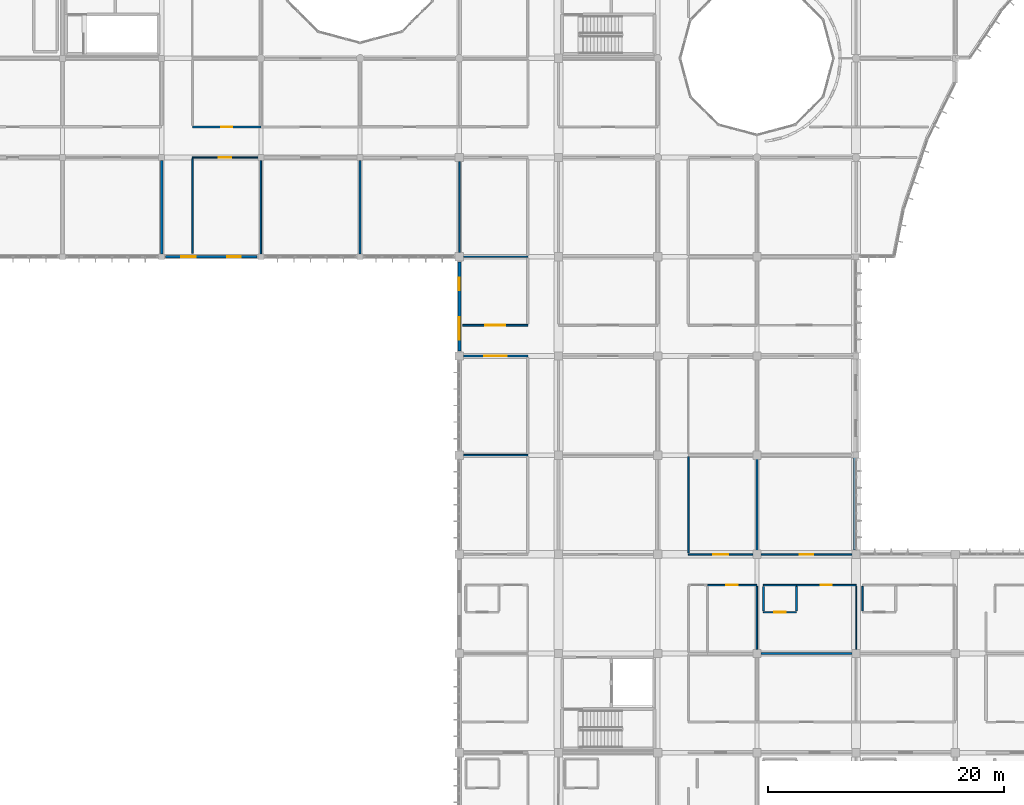
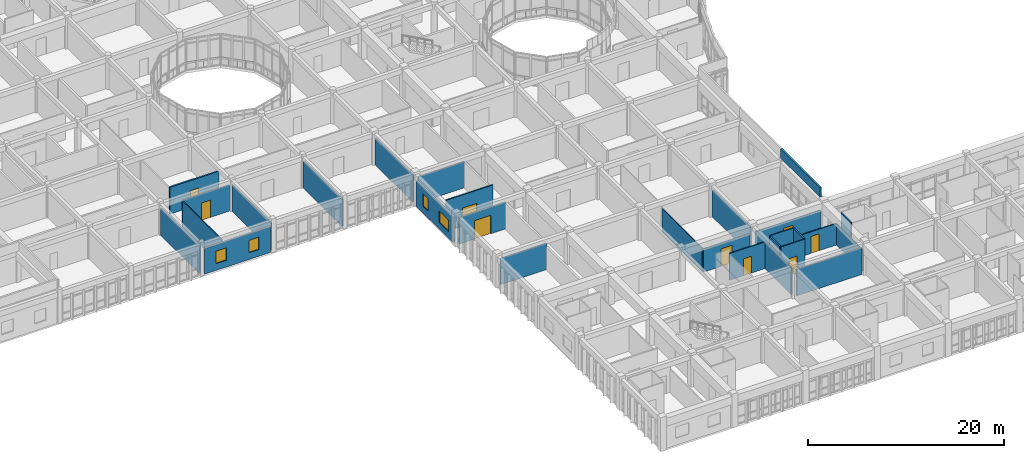
# One storey, part 80 of 119: 28 walls, 9 doors, 4 windows, 13 openings.
"""IFC4 building model written with IfcOpenShell, lengths in metres."""

from ifc_helpers import new_model, si_unit, direction, frame, frame_2d, origin, place, context, subcontext, project, spatial, rectangle, extrude, material, layer, layer_set, type_object, element, fill, save


model = new_model("IFC4")

# Units and contexts
model_context = context("Model", 3, precision=1e-05, world=origin(), true_north=direction((0.0, 1.0)))
body_context = subcontext(model_context, "Body", "Model", "MODEL_VIEW")
ifc_project = project(units=[si_unit("LENGTHUNIT", "METRE"), si_unit("AREAUNIT", "SQUARE_METRE"), si_unit("VOLUMEUNIT", "CUBIC_METRE"), si_unit("PLANEANGLEUNIT", "RADIAN"), si_unit("MASSUNIT", "GRAM", prefix="KILO")], contexts=[model_context])

# Site, building, storey
site_placement = place(None, origin())
site = spatial("IfcSite", under=ifc_project, at=site_placement, CompositionType="ELEMENT")
building_placement = place(site_placement, origin())
building = spatial("IfcBuilding", under=site, at=building_placement, Name="Bramfleet General Hospital", CompositionType="ELEMENT")
storey_placement = place(building_placement, frame((0.0, 0.0, 14.39990234375)))
storey = spatial("IfcBuildingStorey", under=building, at=storey_placement, Name="L03", CompositionType="ELEMENT", Elevation=14.39990234375)

# Wall, openings, windows
ifc_material_1 = material(Name="Precast concrete C40/50", Category="concrete")
ifc_layer_1 = layer(ifc_material_1, 0.25, Name="WT-EW-08")
ifc_layer_set_1 = layer_set([ifc_layer_1], Name="Precast concrete C40/50")
wall_type_1 = type_object("IfcWallType", Name="WT-EW-08", PredefinedType="SOLIDWALL", material=ifc_layer_set_1)
wall_1_placement = place(storey_placement, frame((92.39990234375, 42.425048828125, 0.0), z_axis=(0.0, 0.0, 1.0), x_axis=(0.0, 1.0, 0.0)))
wall_1 = element("IfcWall", 1, at=wall_1_placement, inside=storey, type_object=wall_type_1, Name="L03 Exterior Wall 272", PredefinedType="SOLIDWALL", context=body_context, shape_type="SweptSolid", body=[
    extrude(rectangle(XDim=7.550048828125, YDim=0.25, at=frame_2d((3.77490234375, 0.0))), origin(), (0.0, 0.0, 1.0), 3.190185546875),
])
opening_1_placement = place(wall_1_placement, frame((0.9375, 0.0, 0.85009765625)))
opening_1 = element("IfcOpeningElement", 2, at=opening_1_placement, cuts=wall_1, Name="Opening W-20", PredefinedType="OPENING", context=body_context, shape_type="SweptSolid", body=[
    extrude(rectangle(XDim=1.89990234375, YDim=1.419921875, at=frame_2d((0.949951171875, 0.7099609375))), frame((0.0, 0.135009765625, 0.0), z_axis=(0.0, -1.0, 0.0), x_axis=(1.0, 0.0, 0.0)), (0.0, 0.0, 1.0), 0.27001953125),
])
opening_2_placement = place(wall_1_placement, frame((5.137451171875, 0.0, 0.85009765625)))
opening_2 = element("IfcOpeningElement", 3, at=opening_2_placement, cuts=wall_1, Name="Opening W-21", PredefinedType="OPENING", context=body_context, shape_type="SweptSolid", body=[
    extrude(rectangle(XDim=1.050048828125, YDim=1.5400390625, at=frame_2d((0.52490234375, 0.77001953125))), frame((0.0, 0.135009765625, 0.0), z_axis=(0.0, -1.0, 0.0), x_axis=(1.0, 0.0, 0.0)), (0.0, 0.0, 1.0), 0.27001953125),
])
ifc_material_2 = material(Name="Anodised aluminium and low-E triple glazing", Category="aluminium")
window_type_1 = type_object("IfcWindowType", Name="WIN-W-20", PartitioningType="SINGLE_PANEL", PredefinedType="WINDOW", material=ifc_material_2)
window_1_placement = place(opening_1_placement, origin())
window_1 = element("IfcWindow", 4, at=window_1_placement, inside=storey, type_object=window_type_1, Name="L03 Facade Window WIN-L03-272-1", OverallHeight=1.419921875, OverallWidth=1.89990234375, PartitioningType="SINGLE_PANEL", PredefinedType="WINDOW", context=body_context, shape_type="SweptSolid", body=[
    extrude(rectangle(XDim=1.89990234375, YDim=1.419921875, at=frame_2d((0.949951171875, 0.7099609375))), frame((0.0, 0.030029296875, 0.0), z_axis=(0.0, -1.0, 0.0), x_axis=(1.0, 0.0, 0.0)), (0.0, 0.0, 1.0), 0.06005859375),
])
fill(opening_1, window_1)
window_type_2 = type_object("IfcWindowType", Name="WIN-W-21", PartitioningType="SINGLE_PANEL", PredefinedType="WINDOW", material=ifc_material_2)
window_2_placement = place(opening_2_placement, origin())
window_2 = element("IfcWindow", 5, at=window_2_placement, inside=storey, type_object=window_type_2, Name="L03 Facade Window WIN-L03-272-2", OverallHeight=1.5400390625, OverallWidth=1.050048828125, PartitioningType="SINGLE_PANEL", PredefinedType="WINDOW", context=body_context, shape_type="SweptSolid", body=[
    extrude(rectangle(XDim=1.050048828125, YDim=1.5400390625, at=frame_2d((0.52490234375, 0.77001953125))), frame((0.0, 0.030029296875, 0.0), z_axis=(0.0, -1.0, 0.0), x_axis=(1.0, 0.0, 0.0)), (0.0, 0.0, 1.0), 0.06005859375),
])
fill(opening_2, window_2)

ifc_layer_2 = layer(ifc_material_1, 0.235107421875, Name="WT-EW-09")
ifc_layer_set_2 = layer_set([ifc_layer_2], Name="Precast concrete C40/50")
wall_type_2 = type_object("IfcWallType", Name="WT-EW-09", PredefinedType="SOLIDWALL", material=ifc_layer_set_2)
wall_2_placement = place(storey_placement, frame((75.27490234375, 50.39990234375, 0.0), z_axis=(0.0, 0.0, 1.0), x_axis=(-1.0, 0.0, 0.0)))
wall_2 = element("IfcWall", 6, at=wall_2_placement, inside=storey, type_object=wall_type_2, Name="L03 Exterior Wall 273", PredefinedType="SOLIDWALL", context=body_context, shape_type="SweptSolid", body=[
    extrude(rectangle(XDim=7.75, YDim=0.235107421875, at=frame_2d((3.875, 0.0))), origin(), (0.0, 0.0, 1.0), 3.190185546875),
])
opening_3_placement = place(wall_2_placement, frame((1.362548828125, 0.0, 0.85009765625)))
opening_3 = element("IfcOpeningElement", 7, at=opening_3_placement, cuts=wall_2, Name="Opening W-22", PredefinedType="OPENING", context=body_context, shape_type="SweptSolid", body=[
    extrude(rectangle(XDim=1.14990234375, YDim=1.5400390625, at=frame_2d((0.574951171875, 0.77001953125))), frame((0.0, 0.12744140625, 0.0), z_axis=(0.0, -1.0, 0.0), x_axis=(1.0, 0.0, 0.0)), (0.0, 0.0, 1.0), 0.255126953125),
])
opening_4_placement = place(wall_2_placement, frame((5.1875, 0.0, 0.85009765625)))
opening_4 = element("IfcOpeningElement", 8, at=opening_4_placement, cuts=wall_2, Name="Opening W-23", PredefinedType="OPENING", context=body_context, shape_type="SweptSolid", body=[
    extrude(rectangle(XDim=1.25, YDim=1.5400390625, at=frame_2d((0.625, 0.77001953125))), frame((0.0, 0.12744140625, 0.0), z_axis=(0.0, -1.0, 0.0), x_axis=(1.0, 0.0, 0.0)), (0.0, 0.0, 1.0), 0.255126953125),
])
window_type_3 = type_object("IfcWindowType", Name="WIN-W-22", PartitioningType="SINGLE_PANEL", PredefinedType="WINDOW", material=ifc_material_2)
window_3_placement = place(opening_3_placement, origin())
window_3 = element("IfcWindow", 9, at=window_3_placement, inside=storey, type_object=window_type_3, Name="L03 Facade Window WIN-L03-273-1", OverallHeight=1.5400390625, OverallWidth=1.14990234375, PartitioningType="SINGLE_PANEL", PredefinedType="WINDOW", context=body_context, shape_type="SweptSolid", body=[
    extrude(rectangle(XDim=1.14990234375, YDim=1.5400390625, at=frame_2d((0.574951171875, 0.77001953125))), frame((0.0, 0.030029296875, 0.0), z_axis=(0.0, -1.0, 0.0), x_axis=(1.0, 0.0, 0.0)), (0.0, 0.0, 1.0), 0.06005859375),
])
fill(opening_3, window_3)
window_type_4 = type_object("IfcWindowType", Name="WIN-W-23", PartitioningType="SINGLE_PANEL", PredefinedType="WINDOW", material=ifc_material_2)
window_4_placement = place(opening_4_placement, origin())
window_4 = element("IfcWindow", 10, at=window_4_placement, inside=storey, type_object=window_type_4, Name="L03 Facade Window WIN-L03-273-2", OverallHeight=1.5400390625, OverallWidth=1.25, PartitioningType="SINGLE_PANEL", PredefinedType="WINDOW", context=body_context, shape_type="SweptSolid", body=[
    extrude(rectangle(XDim=1.25, YDim=1.5400390625, at=frame_2d((0.625, 0.77001953125))), frame((0.0, 0.030029296875, 0.0), z_axis=(0.0, -1.0, 0.0), x_axis=(1.0, 0.0, 0.0)), (0.0, 0.0, 1.0), 0.06005859375),
])
fill(opening_4, window_4)

# Wall
ifc_material_3 = material(Name="Concrete C35/45", Category="concrete")
ifc_layer_3 = layer(ifc_material_3, 0.18994140625, Name="WT-IW-03")
ifc_layer_set_3 = layer_set([ifc_layer_3], Name="Concrete C35/45")
wall_type_3 = type_object("IfcWallType", Name="WT-IW-03", PredefinedType="PARTITIONING", material=ifc_layer_set_3)
wall_3_placement = place(storey_placement, frame((117.945068359375, 16.800048828125, 0.0), z_axis=(0.0, 0.0, 1.0), x_axis=(1.0, 0.0, 0.0)))
element("IfcWall", 11, at=wall_3_placement, inside=storey, type_object=wall_type_3, Name="L03 Interior Partition IW-L03-2487", PredefinedType="PARTITIONING", context=body_context, shape_type="SweptSolid", body=[
    extrude(rectangle(XDim=7.7099609375, YDim=0.18994140625, at=frame_2d((3.85498046875, 0.0))), origin(), (0.0, 0.0, 1.0), 3.2900390625),
])

# Wall, opening, door
wall_4_placement = place(storey_placement, frame((92.7451171875, 42.0, 0.0), z_axis=(0.0, 0.0, 1.0), x_axis=(1.0, 0.0, 0.0)))
wall_4 = element("IfcWall", 12, at=wall_4_placement, inside=storey, type_object=wall_type_3, Name="L03 Interior Partition IW-L03-2523", PredefinedType="PARTITIONING", context=body_context, shape_type="SweptSolid", body=[
    extrude(rectangle(XDim=5.454833984375, YDim=0.18994140625, at=frame_2d((2.7275390625, 0.0))), origin(), (0.0, 0.0, 1.0), 3.2900390625),
])
opening_5_placement = place(wall_4_placement, frame((1.777587890625, 0.0, 0.0)))
opening_5 = element("IfcOpeningElement", 13, at=opening_5_placement, cuts=wall_4, Name="Opening D1126", PredefinedType="OPENING", context=body_context, shape_type="SweptSolid", body=[
    extrude(rectangle(XDim=1.89990234375, YDim=2.300048828125, at=frame_2d((0.949951171875, 1.14990234375))), frame((0.0, 0.10498046875, 0.0), z_axis=(0.0, -1.0, 0.0), x_axis=(1.0, 0.0, 0.0)), (0.0, 0.0, 1.0), 0.2099609375),
])
ifc_material_4 = material(Name="Stainless steel and acoustic timber leaf", Category="steel")
door_type_1 = type_object("IfcDoorType", Name="DR-D-06", OperationType="NOTDEFINED", PredefinedType="DOOR", material=ifc_material_4)
door_1_placement = place(opening_5_placement, origin())
door_1 = element("IfcDoor", 14, at=door_1_placement, inside=storey, type_object=door_type_1, Name="Maternity Delivery Suite and Clinical Lab L03-1104 Door D1126", OperationType="DOUBLE_SWING_LEFT", OverallHeight=2.300048828125, OverallWidth=1.89990234375, PredefinedType="DOOR", context=body_context, shape_type="SweptSolid", body=[
    extrude(rectangle(XDim=1.89990234375, YDim=2.300048828125, at=frame_2d((0.949951171875, 1.14990234375))), frame((0.0, 0.02490234375, 0.0), z_axis=(0.0, -1.0, 0.0), x_axis=(1.0, 0.0, 0.0)), (0.0, 0.0, 1.0), 0.050048828125),
])
fill(opening_5, door_1)

# Wall
wall_5_placement = place(storey_placement, frame((67.199951171875, 50.64501953125, 0.0), z_axis=(0.0, 0.0, 1.0), x_axis=(0.0, 1.0, 0.0)))
element("IfcWall", 15, at=wall_5_placement, inside=storey, type_object=wall_type_3, Name="L03 Interior Partition IW-L03-2883", PredefinedType="PARTITIONING", context=body_context, shape_type="SweptSolid", body=[
    extrude(rectangle(XDim=7.909912109375, YDim=0.18994140625, at=frame_2d((3.955078125, 0.0))), origin(), (0.0, 0.0, 1.0), 3.340087890625),
])

# Wall, opening, door
ifc_layer_4 = layer(ifc_material_3, 0.179931640625, Name="WT-IW-04")
ifc_layer_set_4 = layer_set([ifc_layer_4], Name="Concrete C35/45")
wall_type_4 = type_object("IfcWallType", Name="WT-IW-04", PredefinedType="PARTITIONING", material=ifc_layer_set_4)
wall_6_placement = place(storey_placement, frame((69.800048828125, 61.39990234375, 0.0), z_axis=(0.0, 0.0, 1.0), x_axis=(1.0, 0.0, 0.0)))
wall_6 = element("IfcWall", 16, at=wall_6_placement, inside=storey, type_object=wall_type_4, Name="L03 Interior Partition IW-L03-2560", PredefinedType="PARTITIONING", context=body_context, shape_type="SweptSolid", body=[
    extrude(rectangle(XDim=5.800048828125, YDim=0.179931640625, at=frame_2d((2.89990234375, 0.0))), origin(), (0.0, 0.0, 1.0), 3.330078125),
])
opening_6_placement = place(wall_6_placement, frame((2.425048828125, 0.0, 0.0)))
opening_6 = element("IfcOpeningElement", 17, at=opening_6_placement, cuts=wall_6, Name="Opening D1098", PredefinedType="OPENING", context=body_context, shape_type="SweptSolid", body=[
    extrude(rectangle(XDim=0.949951171875, YDim=2.10009765625, at=frame_2d((0.47509765625, 1.050048828125))), frame((0.0, 0.099853515625, 0.0), z_axis=(0.0, -1.0, 0.0), x_axis=(1.0, 0.0, 0.0)), (0.0, 0.0, 1.0), 0.199951171875),
])
door_type_2 = type_object("IfcDoorType", Name="DR-D-10", OperationType="NOTDEFINED", PredefinedType="DOOR", material=ifc_material_4)
door_2_placement = place(opening_6_placement, origin())
door_2 = element("IfcDoor", 18, at=door_2_placement, inside=storey, type_object=door_type_2, Name="Maternity Delivery Suite and Clinical Lab L03-0807 Door D1098", OperationType="SINGLE_SWING_LEFT", OverallHeight=2.10009765625, OverallWidth=0.949951171875, PredefinedType="DOOR", context=body_context, shape_type="SweptSolid", body=[
    extrude(rectangle(XDim=0.949951171875, YDim=2.10009765625, at=frame_2d((0.47509765625, 1.050048828125))), frame((0.0, 0.02490234375, 0.0), z_axis=(0.0, -1.0, 0.0), x_axis=(1.0, 0.0, 0.0)), (0.0, 0.0, 1.0), 0.050048828125),
])
fill(opening_6, door_2)

# Walls
wall_7_placement = place(storey_placement, frame((84.0, 50.64501953125, 0.0), z_axis=(0.0, 0.0, 1.0), x_axis=(0.0, 1.0, 0.0)))
element("IfcWall", 19, at=wall_7_placement, inside=storey, type_object=wall_type_4, Name="L03 Interior Partition IW-L03-2908", PredefinedType="PARTITIONING", context=body_context, shape_type="SweptSolid", body=[
    extrude(rectangle(XDim=7.909912109375, YDim=0.179931640625, at=frame_2d((3.955078125, 0.0))), origin(), (0.0, 0.0, 1.0), 3.340087890625),
])
wall_8_placement = place(storey_placement, frame((118.14990234375, 20.4150390625, 0.0), z_axis=(0.0, 0.0, 1.0), x_axis=(0.0, 1.0, 0.0)))
element("IfcWall", 20, at=wall_8_placement, inside=storey, type_object=wall_type_4, Name="L03 Interior Partition IW-L03-2992", PredefinedType="PARTITIONING", context=body_context, shape_type="SweptSolid", body=[
    extrude(rectangle(XDim=2.070068359375, YDim=0.179931640625, at=frame_2d((1.03515625, 0.0))), origin(), (0.0, 0.0, 1.0), 3.89013671875),
])
ifc_material_5 = material(Name="Gypsum plasterboard on acoustic steel studs", Category="steel")
ifc_layer_5 = layer(ifc_material_5, 0.169921875, Name="WT-IW-05")
ifc_layer_set_5 = layer_set([ifc_layer_5], Name="Gypsum plasterboard on acoustic steel studs")
wall_type_5 = type_object("IfcWallType", Name="WT-IW-05", PredefinedType="PARTITIONING", material=ifc_layer_set_5)
wall_9_placement = place(storey_placement, frame((117.60009765625, 25.544921875, 0.0), z_axis=(0.0, 0.0, 1.0), x_axis=(0.0, 1.0, 0.0)))
element("IfcWall", 21, at=wall_9_placement, inside=storey, type_object=wall_type_5, Name="L03 Interior Partition IW-L03-2981", PredefinedType="PARTITIONING", context=body_context, shape_type="SweptSolid", body=[
    extrude(rectangle(XDim=7.7099609375, YDim=0.169921875, at=frame_2d((3.85498046875, 0.0))), origin(), (0.0, 0.0, 1.0), 3.340087890625),
])
ifc_layer_6 = layer(ifc_material_5, 0.159912109375, Name="WT-IW-06")
ifc_layer_set_6 = layer_set([ifc_layer_6], Name="Gypsum plasterboard on acoustic steel studs")
wall_type_6 = type_object("IfcWallType", Name="WT-IW-06", PredefinedType="PARTITIONING", material=ifc_layer_set_6)
wall_10_placement = place(storey_placement, frame((120.949951171875, 20.4150390625, 0.0), z_axis=(0.0, 0.0, 1.0), x_axis=(0.0, 1.0, 0.0)))
element("IfcWall", 22, at=wall_10_placement, inside=storey, type_object=wall_type_6, Name="L03 Interior Partition IW-L03-2994", PredefinedType="PARTITIONING", context=body_context, shape_type="SweptSolid", body=[
    extrude(rectangle(XDim=2.070068359375, YDim=0.159912109375, at=frame_2d((1.03515625, 0.0))), origin(), (0.0, 0.0, 1.0), 3.89013671875),
])

# Wall, opening, door
ifc_layer_7 = layer(ifc_material_5, 0.14990234375, Name="WT-IW-07")
ifc_layer_set_7 = layer_set([ifc_layer_7], Name="Gypsum plasterboard on acoustic steel studs")
wall_type_7 = type_object("IfcWallType", Name="WT-IW-07", PredefinedType="PARTITIONING", material=ifc_layer_set_7)
wall_11_placement = place(storey_placement, frame((92.679931640625, 44.60009765625, 0.0), z_axis=(0.0, 0.0, 1.0), x_axis=(1.0, 0.0, 0.0)))
wall_11 = element("IfcWall", 23, at=wall_11_placement, inside=storey, type_object=wall_type_7, Name="L03 Interior Partition IW-L03-2527", PredefinedType="PARTITIONING", context=body_context, shape_type="SweptSolid", body=[
    extrude(rectangle(XDim=5.52001953125, YDim=0.14990234375, at=frame_2d((2.760009765625, 0.0))), origin(), (0.0, 0.0, 1.0), 3.89013671875),
])
opening_7_placement = place(wall_11_placement, frame((1.909912109375, 0.0, 0.0)))
opening_7 = element("IfcOpeningElement", 24, at=opening_7_placement, cuts=wall_11, Name="Opening D1127", PredefinedType="OPENING", context=body_context, shape_type="SweptSolid", body=[
    extrude(rectangle(XDim=1.699951171875, YDim=2.25, at=frame_2d((0.85009765625, 1.125))), frame((0.0, 0.0849609375, 0.0), z_axis=(0.0, -1.0, 0.0), x_axis=(1.0, 0.0, 0.0)), (0.0, 0.0, 1.0), 0.169921875),
])
door_type_3 = type_object("IfcDoorType", Name="DR-D-07", OperationType="NOTDEFINED", PredefinedType="DOOR", material=ifc_material_4)
door_3_placement = place(opening_7_placement, origin())
door_3 = element("IfcDoor", 25, at=door_3_placement, inside=storey, type_object=door_type_3, Name="Maternity Delivery Suite and Clinical Lab L03-1105 Door D1127", OperationType="DOUBLE_SWING_RIGHT", OverallHeight=2.25, OverallWidth=1.699951171875, PredefinedType="DOOR", context=body_context, shape_type="SweptSolid", body=[
    extrude(rectangle(XDim=1.699951171875, YDim=2.25, at=frame_2d((0.85009765625, 1.125))), frame((0.0, 0.02490234375, 0.0), z_axis=(0.0, -1.0, 0.0), x_axis=(1.0, 0.0, 0.0)), (0.0, 0.0, 1.0), 0.050048828125),
])
fill(opening_7, door_3)

# Wall
ifc_layer_8 = layer(ifc_material_5, 0.139892578125, Name="WT-IW-08")
ifc_layer_set_8 = layer_set([ifc_layer_8], Name="Gypsum plasterboard on acoustic steel studs")
wall_type_8 = type_object("IfcWallType", Name="WT-IW-08", PredefinedType="PARTITIONING", material=ifc_layer_set_8)
wall_12_placement = place(storey_placement, frame((126.550048828125, 20.4150390625, 0.0), z_axis=(0.0, 0.0, 1.0), x_axis=(0.0, 1.0, 0.0)))
element("IfcWall", 26, at=wall_12_placement, inside=storey, type_object=wall_type_8, Name="L03 Interior Partition IW-L03-3008", PredefinedType="PARTITIONING", context=body_context, shape_type="SweptSolid", body=[
    extrude(rectangle(XDim=2.070068359375, YDim=0.139892578125, at=frame_2d((1.03515625, 0.0))), origin(), (0.0, 0.0, 1.0), 3.89013671875),
])

# Wall, opening, door
ifc_layer_9 = layer(ifc_material_5, 0.1298828125, Name="WT-IW-09")
ifc_layer_set_9 = layer_set([ifc_layer_9], Name="Gypsum plasterboard on acoustic steel studs")
wall_type_9 = type_object("IfcWallType", Name="WT-IW-09", PredefinedType="PARTITIONING", material=ifc_layer_set_9)
wall_13_placement = place(storey_placement, frame((120.949951171875, 22.60009765625, 0.0), z_axis=(0.0, 0.0, 1.0), x_axis=(1.0, 0.0, 0.0)))
wall_13 = element("IfcWall", 27, at=wall_13_placement, inside=storey, type_object=wall_type_9, Name="L03 Interior Partition IW-L03-2505", PredefinedType="PARTITIONING", context=body_context, shape_type="SweptSolid", body=[
    extrude(rectangle(XDim=5.050048828125, YDim=0.1298828125, at=frame_2d((2.52490234375, 0.0))), origin(), (0.0, 0.0, 1.0), 2.690185546875),
])
opening_8_placement = place(wall_13_placement, frame((2.050048828125, 0.0, 0.0)))
opening_8 = element("IfcOpeningElement", 28, at=opening_8_placement, cuts=wall_13, Name="Opening D1162", PredefinedType="OPENING", context=body_context, shape_type="SweptSolid", body=[
    extrude(rectangle(XDim=0.949951171875, YDim=2.10009765625, at=frame_2d((0.47509765625, 1.050048828125))), frame((0.0, 0.074951171875, 0.0), z_axis=(0.0, -1.0, 0.0), x_axis=(1.0, 0.0, 0.0)), (0.0, 0.0, 1.0), 0.14990234375),
])
door_4_placement = place(opening_8_placement, origin())
door_4 = element("IfcDoor", 29, at=door_4_placement, inside=storey, type_object=door_type_2, Name="Paediatric Ward Bedroom L03-1402 Door D1162", OperationType="SINGLE_SWING_LEFT", OverallHeight=2.10009765625, OverallWidth=0.949951171875, PredefinedType="DOOR", context=body_context, shape_type="SweptSolid", body=[
    extrude(rectangle(XDim=0.949951171875, YDim=2.10009765625, at=frame_2d((0.47509765625, 1.050048828125))), frame((0.0, 0.02490234375, 0.0), z_axis=(0.0, -1.0, 0.0), x_axis=(1.0, 0.0, 0.0)), (0.0, 0.0, 1.0), 0.050048828125),
])
fill(opening_8, door_4)

wall_14_placement = place(storey_placement, frame((111.800048828125, 25.199951171875, 0.0), z_axis=(0.0, 0.0, 1.0), x_axis=(1.0, 0.0, 0.0)))
wall_14 = element("IfcWall", 30, at=wall_14_placement, inside=storey, type_object=wall_type_9, Name="L03 Interior Partition IW-L03-2517", PredefinedType="PARTITIONING", context=body_context, shape_type="SweptSolid", body=[
    extrude(rectangle(XDim=5.454833984375, YDim=0.1298828125, at=frame_2d((2.7275390625, 0.0))), origin(), (0.0, 0.0, 1.0), 2.89013671875),
])
opening_9_placement = place(wall_14_placement, frame((2.08740234375, 0.0, 0.0)))
opening_9 = element("IfcOpeningElement", 31, at=opening_9_placement, cuts=wall_14, Name="Opening D1149", PredefinedType="OPENING", context=body_context, shape_type="SweptSolid", body=[
    extrude(rectangle(XDim=1.280029296875, YDim=2.179931640625, at=frame_2d((0.64013671875, 1.08984375))), frame((0.0, 0.074951171875, 0.0), z_axis=(0.0, -1.0, 0.0), x_axis=(1.0, 0.0, 0.0)), (0.0, 0.0, 1.0), 0.14990234375),
])
door_type_4 = type_object("IfcDoorType", Name="DR-D-29", OperationType="NOTDEFINED", PredefinedType="DOOR", material=ifc_material_4)
door_5_placement = place(opening_9_placement, origin())
door_5 = element("IfcDoor", 32, at=door_5_placement, inside=storey, type_object=door_type_4, Name="Maternity Delivery Suite and Clinical Lab L03-1303 Door D1149", OperationType="SINGLE_SWING_RIGHT", OverallHeight=2.179931640625, OverallWidth=1.280029296875, PredefinedType="DOOR", context=body_context, shape_type="SweptSolid", body=[
    extrude(rectangle(XDim=1.280029296875, YDim=2.179931640625, at=frame_2d((0.64013671875, 1.08984375))), frame((0.0, 0.02490234375, 0.0), z_axis=(0.0, -1.0, 0.0), x_axis=(1.0, 0.0, 0.0)), (0.0, 0.0, 1.0), 0.050048828125),
])
fill(opening_9, door_5)

# Wall
wall_15_placement = place(storey_placement, frame((75.60009765625, 50.64501953125, 0.0), z_axis=(0.0, 0.0, 1.0), x_axis=(0.0, 1.0, 0.0)))
element("IfcWall", 33, at=wall_15_placement, inside=storey, type_object=wall_type_9, Name="L03 Interior Partition IW-L03-2901", PredefinedType="PARTITIONING", context=body_context, shape_type="SweptSolid", body=[
    extrude(rectangle(XDim=7.909912109375, YDim=0.1298828125, at=frame_2d((3.955078125, 0.0))), origin(), (0.0, 0.0, 1.0), 3.340087890625),
])

# Wall, opening, door
ifc_layer_10 = layer(ifc_material_5, 0.1201171875, Name="WT-IW-10")
ifc_layer_set_10 = layer_set([ifc_layer_10], Name="Gypsum plasterboard on acoustic steel studs")
wall_type_10 = type_object("IfcWallType", Name="WT-IW-10", PredefinedType="PARTITIONING", material=ifc_layer_set_10)
wall_16_placement = place(storey_placement, frame((113.39990234375, 22.60009765625, 0.0), z_axis=(0.0, 0.0, 1.0), x_axis=(1.0, 0.0, 0.0)))
wall_16 = element("IfcWall", 34, at=wall_16_placement, inside=storey, type_object=wall_type_10, Name="L03 Interior Partition IW-L03-2503", PredefinedType="PARTITIONING", context=body_context, shape_type="SweptSolid", body=[
    extrude(rectangle(XDim=4.2001953125, YDim=0.1201171875, at=frame_2d((2.10009765625, 0.0))), origin(), (0.0, 0.0, 1.0), 3.340087890625),
])
opening_10_placement = place(wall_16_placement, frame((1.625, 0.0, 0.0)))
opening_10 = element("IfcOpeningElement", 35, at=opening_10_placement, cuts=wall_16, Name="Opening D1148", PredefinedType="OPENING", context=body_context, shape_type="SweptSolid", body=[
    extrude(rectangle(XDim=0.949951171875, YDim=2.10009765625, at=frame_2d((0.47509765625, 1.050048828125))), frame((0.0, 0.070068359375, 0.0), z_axis=(0.0, -1.0, 0.0), x_axis=(1.0, 0.0, 0.0)), (0.0, 0.0, 1.0), 0.14013671875),
])
door_6_placement = place(opening_10_placement, origin())
door_6 = element("IfcDoor", 36, at=door_6_placement, inside=storey, type_object=door_type_2, Name="Level 03 Public WC Door D1148", OperationType="SINGLE_SWING_LEFT", OverallHeight=2.10009765625, OverallWidth=0.949951171875, PredefinedType="DOOR", context=body_context, shape_type="SweptSolid", body=[
    extrude(rectangle(XDim=0.949951171875, YDim=2.10009765625, at=frame_2d((0.47509765625, 1.050048828125))), frame((0.0, 0.02490234375, 0.0), z_axis=(0.0, -1.0, 0.0), x_axis=(1.0, 0.0, 0.0)), (0.0, 0.0, 1.0), 0.050048828125),
])
fill(opening_10, door_6)

# Wall
wall_17_placement = place(storey_placement, frame((118.14990234375, 22.60009765625, 0.0), z_axis=(0.0, 0.0, 1.0), x_axis=(1.0, 0.0, 0.0)))
element("IfcWall", 37, at=wall_17_placement, inside=storey, type_object=wall_type_10, Name="L03 Interior Partition IW-L03-2504", PredefinedType="PARTITIONING", context=body_context, shape_type="SweptSolid", body=[
    extrude(rectangle(XDim=2.800048828125, YDim=0.1201171875, at=frame_2d((1.39990234375, 0.0))), origin(), (0.0, 0.0, 1.0), 3.89013671875),
])

# Wall, opening, door
wall_18_placement = place(storey_placement, frame((117.945068359375, 25.199951171875, 0.0), z_axis=(0.0, 0.0, 1.0), x_axis=(1.0, 0.0, 0.0)))
wall_18 = element("IfcWall", 38, at=wall_18_placement, inside=storey, type_object=wall_type_10, Name="L03 Interior Partition IW-L03-2518", PredefinedType="PARTITIONING", context=body_context, shape_type="SweptSolid", body=[
    extrude(rectangle(XDim=7.7099609375, YDim=0.1201171875, at=frame_2d((3.85498046875, 0.0))), origin(), (0.0, 0.0, 1.0), 2.89013671875),
])
opening_11_placement = place(wall_18_placement, frame((3.280029296875, 0.0, 0.0)))
opening_11 = element("IfcOpeningElement", 39, at=opening_11_placement, cuts=wall_18, Name="Opening D1164", PredefinedType="OPENING", context=body_context, shape_type="SweptSolid", body=[
    extrude(rectangle(XDim=1.14990234375, YDim=2.14990234375, at=frame_2d((0.574951171875, 1.074951171875))), frame((0.0, 0.070068359375, 0.0), z_axis=(0.0, -1.0, 0.0), x_axis=(1.0, 0.0, 0.0)), (0.0, 0.0, 1.0), 0.14013671875),
])
door_type_5 = type_object("IfcDoorType", Name="DR-D-12", OperationType="NOTDEFINED", PredefinedType="DOOR", material=ifc_material_4)
door_7_placement = place(opening_11_placement, origin())
door_7 = element("IfcDoor", 40, at=door_7_placement, inside=storey, type_object=door_type_5, Name="Maternity Delivery Suite and Clinical Lab L03-1403 Door D1164", OperationType="SINGLE_SWING_LEFT", OverallHeight=2.14990234375, OverallWidth=1.14990234375, PredefinedType="DOOR", context=body_context, shape_type="SweptSolid", body=[
    extrude(rectangle(XDim=1.14990234375, YDim=2.14990234375, at=frame_2d((0.574951171875, 1.074951171875))), frame((0.0, 0.02490234375, 0.0), z_axis=(0.0, -1.0, 0.0), x_axis=(1.0, 0.0, 0.0)), (0.0, 0.0, 1.0), 0.050048828125),
])
fill(opening_11, door_7)

# Walls
wall_19_placement = place(storey_placement, frame((69.800048828125, 50.679931640625, 0.0), z_axis=(0.0, 0.0, 1.0), x_axis=(0.0, 1.0, 0.0)))
element("IfcWall", 41, at=wall_19_placement, inside=storey, type_object=wall_type_10, Name="L03 Interior Partition IW-L03-2890", PredefinedType="PARTITIONING", context=body_context, shape_type="SweptSolid", body=[
    extrude(rectangle(XDim=8.005126953125, YDim=0.1201171875, at=frame_2d((4.00244140625, 0.0))), origin(), (0.0, 0.0, 1.0), 3.280029296875),
])
wall_20_placement = place(storey_placement, frame((92.39990234375, 50.7451171875, 0.0), z_axis=(0.0, 0.0, 1.0), x_axis=(0.0, 1.0, 0.0)))
element("IfcWall", 42, at=wall_20_placement, inside=storey, type_object=wall_type_10, Name="L03 Interior Partition IW-L03-2914", PredefinedType="PARTITIONING", context=body_context, shape_type="SweptSolid", body=[
    extrude(rectangle(XDim=7.7099609375, YDim=0.1201171875, at=frame_2d((3.85498046875, 0.0))), origin(), (0.0, 0.0, 1.0), 3.340087890625),
])
wall_21_placement = place(storey_placement, frame((117.60009765625, 17.14501953125, 0.0), z_axis=(0.0, 0.0, 1.0), x_axis=(0.0, 1.0, 0.0)))
element("IfcWall", 43, at=wall_21_placement, inside=storey, type_object=wall_type_10, Name="L03 Interior Partition IW-L03-2980", PredefinedType="PARTITIONING", context=body_context, shape_type="SweptSolid", body=[
    extrude(rectangle(XDim=5.340087890625, YDim=0.1201171875, at=frame_2d((2.669921875, 0.0))), origin(), (0.0, 0.0, 1.0), 3.340087890625),
])

# Wall, opening, door
ifc_layer_11 = layer(ifc_material_5, 0.112060546875, Name="WT-IW-11")
ifc_layer_set_11 = layer_set([ifc_layer_11], Name="Gypsum plasterboard on acoustic steel studs")
wall_type_11 = type_object("IfcWallType", Name="WT-IW-11", PredefinedType="PARTITIONING", material=ifc_layer_set_11)
wall_22_placement = place(storey_placement, frame((118.14990234375, 20.300048828125, 0.0), z_axis=(0.0, 0.0, 1.0), x_axis=(1.0, 0.0, 0.0)))
wall_22 = element("IfcWall", 44, at=wall_22_placement, inside=storey, type_object=wall_type_11, Name="L03 Interior Partition IW-L03-2495", PredefinedType="PARTITIONING", context=body_context, shape_type="SweptSolid", body=[
    extrude(rectangle(XDim=2.800048828125, YDim=0.112060546875, at=frame_2d((1.39990234375, 0.0))), origin(), (0.0, 0.0, 1.0), 3.89013671875),
])
opening_12_placement = place(wall_22_placement, frame((0.925048828125, 0.0, 0.0)))
opening_12 = element("IfcOpeningElement", 45, at=opening_12_placement, cuts=wall_22, Name="Opening D1163", PredefinedType="OPENING", context=body_context, shape_type="SweptSolid", body=[
    extrude(rectangle(XDim=0.949951171875, YDim=2.10009765625, at=frame_2d((0.47509765625, 1.050048828125))), frame((0.0, 0.06591796875, 0.0), z_axis=(0.0, -1.0, 0.0), x_axis=(1.0, 0.0, 0.0)), (0.0, 0.0, 1.0), 0.132080078125),
])
door_8_placement = place(opening_12_placement, origin())
door_8 = element("IfcDoor", 46, at=door_8_placement, inside=storey, type_object=door_type_2, Name="Paediatric En-Suite Bathroom L03-1402 Door D1163", OperationType="SINGLE_SWING_LEFT", OverallHeight=2.10009765625, OverallWidth=0.949951171875, PredefinedType="DOOR", context=body_context, shape_type="SweptSolid", body=[
    extrude(rectangle(XDim=0.949951171875, YDim=2.10009765625, at=frame_2d((0.47509765625, 1.050048828125))), frame((0.0, 0.02490234375, 0.0), z_axis=(0.0, -1.0, 0.0), x_axis=(1.0, 0.0, 0.0)), (0.0, 0.0, 1.0), 0.050048828125),
])
fill(opening_12, door_8)

# Walls
for number, where, z_axis, x_axis, name in (
    (47, (92.7451171875, 33.60009765625, 0.0), (0.0, 0.0, 1.0), (1.0, 0.0, 0.0), "L03 Interior Partition IW-L03-2519"),
    (48, (92.7451171875, 50.39990234375, 0.0), (0.0, 0.0, 1.0), (1.0, 0.0, 0.0), "L03 Interior Partition IW-L03-2531"),
):
    element("IfcWall", number, at=place(storey_placement, frame(where, z_axis=z_axis, x_axis=x_axis)), inside=storey, type_object=wall_type_11, Name=name, PredefinedType="PARTITIONING", context=body_context, shape_type="SweptSolid", body=[
        extrude(rectangle(XDim=5.454833984375, YDim=0.112060546875, at=frame_2d((2.7275390625, 0.0))), origin(), (0.0, 0.0, 1.0), 3.2900390625),
    ])
wall_23_placement = place(storey_placement, frame((111.800048828125, 25.31494140625, 0.0), z_axis=(0.0, 0.0, 1.0), x_axis=(0.0, 1.0, 0.0)))
element("IfcWall", 49, at=wall_23_placement, inside=storey, type_object=wall_type_11, Name="L03 Interior Partition IW-L03-2963", PredefinedType="PARTITIONING", context=body_context, shape_type="SweptSolid", body=[
    extrude(rectangle(XDim=8.170166015625, YDim=0.112060546875, at=frame_2d((4.0849609375, 0.0))), origin(), (0.0, 0.0, 1.0), 2.89013671875),
])

# Wall, opening, door
ifc_layer_12 = layer(ifc_material_5, 0.10009765625, Name="WT-IW-12")
ifc_layer_set_12 = layer_set([ifc_layer_12], Name="Gypsum plasterboard on acoustic steel studs")
wall_type_12 = type_object("IfcWallType", Name="WT-IW-12", PredefinedType="PARTITIONING", material=ifc_layer_set_12)
wall_24_placement = place(storey_placement, frame((69.800048828125, 58.800048828125, 0.0), z_axis=(0.0, 0.0, 1.0), x_axis=(1.0, 0.0, 0.0)))
wall_24 = element("IfcWall", 50, at=wall_24_placement, inside=storey, type_object=wall_type_12, Name="L03 Interior Partition IW-L03-2544", PredefinedType="PARTITIONING", context=body_context, shape_type="SweptSolid", body=[
    extrude(rectangle(XDim=5.554931640625, YDim=0.10009765625, at=frame_2d((2.77734375, 0.0))), origin(), (0.0, 0.0, 1.0), 3.280029296875),
])
opening_13_placement = place(wall_24_placement, frame((2.25244140625, 0.0, 0.0)))
opening_13 = element("IfcOpeningElement", 51, at=opening_13_placement, cuts=wall_24, Name="Opening D1097", PredefinedType="OPENING", context=body_context, shape_type="SweptSolid", body=[
    extrude(rectangle(XDim=1.050048828125, YDim=2.14990234375, at=frame_2d((0.52490234375, 1.074951171875))), frame((0.0, 0.06005859375, 0.0), z_axis=(0.0, -1.0, 0.0), x_axis=(1.0, 0.0, 0.0)), (0.0, 0.0, 1.0), 0.1201171875),
])
door_type_6 = type_object("IfcDoorType", Name="DR-D-09", OperationType="NOTDEFINED", PredefinedType="DOOR", material=ifc_material_4)
door_9_placement = place(opening_13_placement, origin())
door_9 = element("IfcDoor", 52, at=door_9_placement, inside=storey, type_object=door_type_6, Name="Maternity Delivery Suite and Clinical Lab L03-0806 Door D1097", OperationType="SINGLE_SWING_RIGHT", OverallHeight=2.14990234375, OverallWidth=1.050048828125, PredefinedType="DOOR", context=body_context, shape_type="SweptSolid", body=[
    extrude(rectangle(XDim=1.050048828125, YDim=2.14990234375, at=frame_2d((0.52490234375, 1.074951171875))), frame((0.0, 0.02490234375, 0.0), z_axis=(0.0, -1.0, 0.0), x_axis=(1.0, 0.0, 0.0)), (0.0, 0.0, 1.0), 0.050048828125),
])
fill(opening_13, door_9)

# Walls
wall_25_placement = place(storey_placement, frame((126.0, 17.14501953125, 0.0), z_axis=(0.0, 0.0, 1.0), x_axis=(0.0, 1.0, 0.0)))
element("IfcWall", 53, at=wall_25_placement, inside=storey, type_object=wall_type_12, Name="L03 Interior Partition IW-L03-3000", PredefinedType="PARTITIONING", context=body_context, shape_type="SweptSolid", body=[
    extrude(rectangle(XDim=5.340087890625, YDim=0.10009765625, at=frame_2d((2.669921875, 0.0))), origin(), (0.0, 0.0, 1.0), 2.690185546875),
])
ifc_layer_13 = layer(ifc_material_1, 0.199951171875, Name="WT-PW-01")
ifc_layer_set_13 = layer_set([ifc_layer_13], Name="Precast concrete C40/50")
wall_type_13 = type_object("IfcWallType", Name="WT-PW-01", PredefinedType="PARAPET", material=ifc_layer_set_13)
wall_26_placement = place(storey_placement, frame((125.889892578125, 33.60009765625, 4.18017578125), z_axis=(0.0, 0.0, 1.0), x_axis=(0.0, -1.0, 0.0)))
element("IfcWall", 54, at=wall_26_placement, inside=storey, type_object=wall_type_13, Name="Roof Parapet Wall 16", PredefinedType="PARAPET", context=body_context, shape_type="SweptSolid", body=[
    extrude(rectangle(XDim=8.02001953125, YDim=0.199951171875, at=frame_2d((4.010009765625, 0.0))), origin(), (0.0, 0.0, 1.0), 1.169921875),
])

save(model, "model.ifc")
